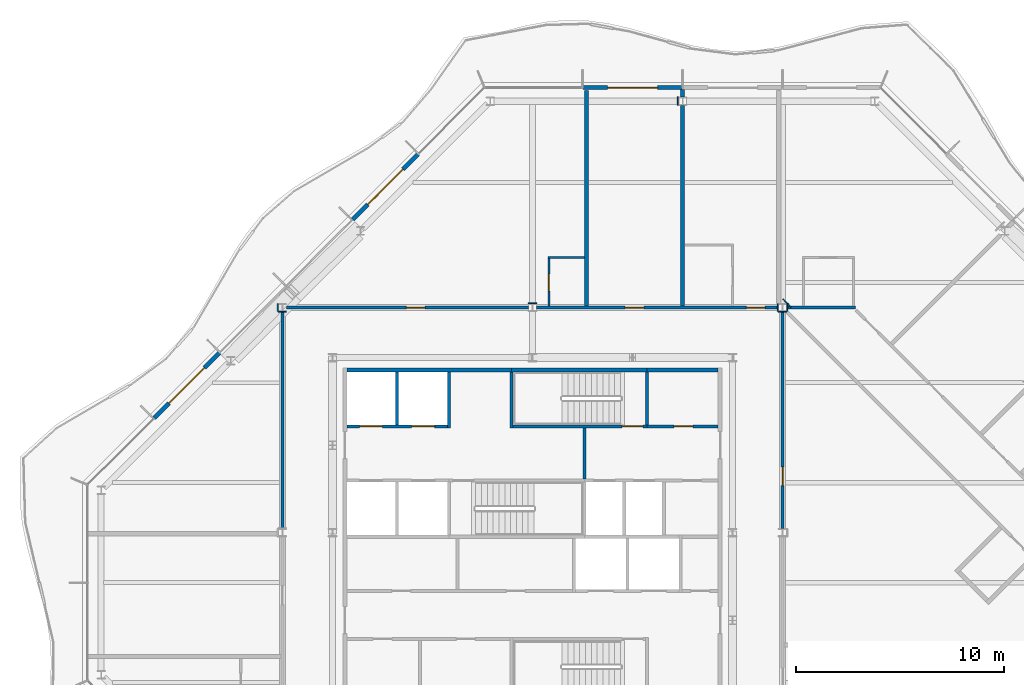
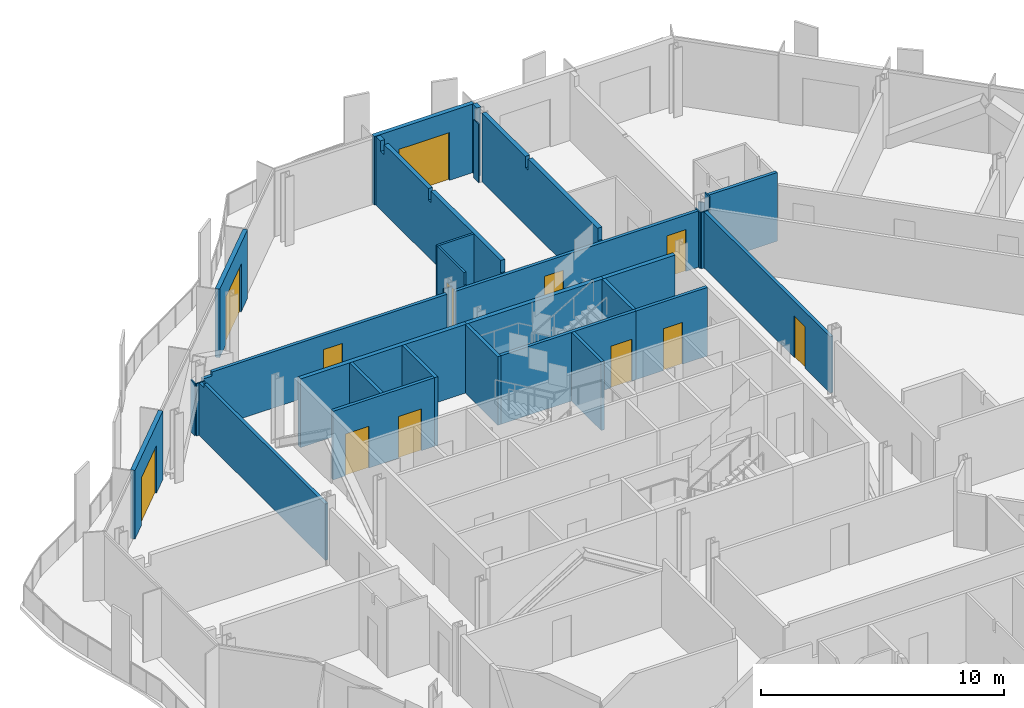
# One storey, part 11 of 17: 32 walls, 12 doors, 12 openings.
"""IFC4 building model written with IfcOpenShell, lengths in metres."""

from ifc_helpers import new_model, si_unit, direction, frame, frame_2d, origin, place, context, subcontext, project, spatial, polyline, rectangle, outline, extrude, material, layer, layer_set, type_object, element, fill, save


model = new_model("IFC4")

# Units and contexts
model_context = context("Model", 3, precision=1e-05, world=origin(), true_north=direction((0.0, 1.0)))
body_context = subcontext(model_context, "Body", "Model", "MODEL_VIEW")
ifc_project = project(units=[si_unit("LENGTHUNIT", "METRE"), si_unit("AREAUNIT", "SQUARE_METRE"), si_unit("VOLUMEUNIT", "CUBIC_METRE"), si_unit("PLANEANGLEUNIT", "RADIAN"), si_unit("MASSUNIT", "GRAM", prefix="KILO")], contexts=[model_context])

# Site, building, storey
site_placement = place(None, origin())
site = spatial("IfcSite", under=ifc_project, at=site_placement, CompositionType="ELEMENT")
building_placement = place(site_placement, origin())
building = spatial("IfcBuilding", under=site, at=building_placement, Name="Cairn Pilgrim Tower", CompositionType="ELEMENT")
storey_placement = place(building_placement, frame((0.0, 0.0, 253.800048828125)))
storey = spatial("IfcBuildingStorey", under=building, at=storey_placement, Name="L65", CompositionType="ELEMENT", Elevation=253.800048828125)

# Wall, opening, door
ifc_material_1 = material(Name="Bronze anodised aluminium insulated sandwich panel with mineral wool fill", Category="aluminium")
ifc_layer_1 = layer(ifc_material_1, 0.199951171875)
ifc_layer_set_1 = layer_set([ifc_layer_1], Name="BRONZE INFILL FRAME WALL 200")
wall_type_1 = type_object("IfcWallType", Name="BRONZE INFILL FRAME WALL 200", PredefinedType="NOTDEFINED", material=ifc_layer_set_1)
wall_1_placement = place(storey_placement, frame((14.3701171875, 23.75, 0.0), z_axis=(0.0, 0.0, 1.0), x_axis=(-1.0, 0.0, 0.0)))
wall_1 = element("IfcWall", 1, at=wall_1_placement, inside=storey, type_object=wall_type_1, Name="Bronze infill frame wall IW-N3", PredefinedType="NOTDEFINED", context=body_context, shape_type="SweptSolid", body=[
    extrude(rectangle(XDim=4.740234375, YDim=0.199951171875, at=frame_2d((2.3701171875, 0.0))), origin(), (0.0, 0.0, 1.0), 3.449951171875),
])
opening_1_placement = place(wall_1_placement, frame((1.169921875, 0.0, 0.0)))
opening_1 = element("IfcOpeningElement", 2, at=opening_1_placement, cuts=wall_1, Name="Opening 6510B", PredefinedType="OPENING", context=body_context, shape_type="SweptSolid", body=[
    extrude(rectangle(XDim=2.39990234375, YDim=2.39990234375, at=frame_2d((1.199951171875, 1.199951171875))), frame((0.0, 0.10986328125, 0.0), z_axis=(0.0, -1.0, 0.0), x_axis=(1.0, 0.0, 0.0)), (0.0, 0.0, 1.0), 0.219970703125),
])
ifc_material_2 = material(Name="Bronze anodised aluminium frame with tinted low-E glass", Category="aluminium")
door_type_1 = type_object("IfcDoorType", Name="BALCONY SLIDING DOOR 2400x2400", OperationType="DOUBLE_DOOR_SLIDING", PredefinedType="DOOR", material=ifc_material_2)
door_1_placement = place(opening_1_placement, origin())
door_1 = element("IfcDoor", 3, at=door_1_placement, inside=storey, type_object=door_type_1, Name="Balcony sliding door 6510B", OperationType="SINGLE_SWING_LEFT", OverallHeight=2.39990234375, OverallWidth=2.39990234375, PredefinedType="DOOR", context=body_context, shape_type="SweptSolid", body=[
    extrude(rectangle(XDim=2.39990234375, YDim=2.39990234375, at=frame_2d((1.199951171875, 1.199951171875))), frame((0.0, 0.02490234375, 0.0), z_axis=(0.0, -1.0, 0.0), x_axis=(1.0, 0.0, 0.0)), (0.0, 0.0, 1.0), 0.050048828125),
])
fill(opening_1, door_1)

wall_2_placement = place(storey_placement, frame((1.706787109375, 20.55322265625, 0.0), z_axis=(0.0, 0.0, 1.0), x_axis=(-0.707106781187, -0.707106781187, 0.0)))
wall_2 = element("IfcWall", 4, at=wall_2_placement, inside=storey, type_object=wall_type_1, Name="Bronze infill frame wall IW-NW2", PredefinedType="NOTDEFINED", context=body_context, shape_type="SweptSolid", body=[
    extrude(rectangle(XDim=4.43115234375, YDim=0.199951171875, at=frame_2d((2.215576171875, 0.0))), origin(), (0.0, 0.0, 1.0), 3.449951171875),
])
opening_2_placement = place(wall_2_placement, frame((1.015380859375, 0.0, 0.0)))
opening_2 = element("IfcOpeningElement", 5, at=opening_2_placement, cuts=wall_2, Name="Opening 6511B", PredefinedType="OPENING", context=body_context, shape_type="SweptSolid", body=[
    extrude(rectangle(XDim=2.39990234375, YDim=2.39990234375, at=frame_2d((1.199951171875, 1.199951171875))), frame((0.0, 0.10986328125, 0.0), z_axis=(0.0, -1.0, 0.0), x_axis=(1.0, 0.0, 0.0)), (0.0, 0.0, 1.0), 0.219970703125),
])
door_2_placement = place(opening_2_placement, origin())
door_2 = element("IfcDoor", 6, at=door_2_placement, inside=storey, type_object=door_type_1, Name="Balcony sliding door 6511B", OperationType="SINGLE_SWING_LEFT", OverallHeight=2.39990234375, OverallWidth=2.39990234375, PredefinedType="DOOR", context=body_context, shape_type="SweptSolid", body=[
    extrude(rectangle(XDim=2.39990234375, YDim=2.39990234375, at=frame_2d((1.199951171875, 1.199951171875))), frame((0.0, 0.02490234375, 0.0), z_axis=(0.0, -1.0, 0.0), x_axis=(1.0, 0.0, 0.0)), (0.0, 0.0, 1.0), 0.050048828125),
])
fill(opening_2, door_2)

wall_3_placement = place(storey_placement, frame((-7.820068359375, 11.0263671875, 0.0), z_axis=(0.0, 0.0, 1.0), x_axis=(-0.707106781187, -0.707106781187, 0.0)))
wall_3 = element("IfcWall", 7, at=wall_3_placement, inside=storey, type_object=wall_type_1, Name="Bronze infill frame wall IW-NW5", PredefinedType="NOTDEFINED", context=body_context, shape_type="SweptSolid", body=[
    extrude(rectangle(XDim=4.430908203125, YDim=0.199951171875, at=frame_2d((2.21533203125, 0.0))), origin(), (0.0, 0.0, 1.0), 3.449951171875),
])
opening_3_placement = place(wall_3_placement, frame((1.015625, 0.0, 0.0)))
opening_3 = element("IfcOpeningElement", 8, at=opening_3_placement, cuts=wall_3, Name="Opening 6511B2", PredefinedType="OPENING", context=body_context, shape_type="SweptSolid", body=[
    extrude(rectangle(XDim=2.39990234375, YDim=2.39990234375, at=frame_2d((1.199951171875, 1.199951171875))), frame((0.0, 0.10986328125, 0.0), z_axis=(0.0, -1.0, 0.0), x_axis=(1.0, 0.0, 0.0)), (0.0, 0.0, 1.0), 0.219970703125),
])
door_3_placement = place(opening_3_placement, origin())
door_3 = element("IfcDoor", 9, at=door_3_placement, inside=storey, type_object=door_type_1, Name="Balcony sliding door 6511B2", OperationType="SINGLE_SWING_LEFT", OverallHeight=2.39990234375, OverallWidth=2.39990234375, PredefinedType="DOOR", context=body_context, shape_type="SweptSolid", body=[
    extrude(rectangle(XDim=2.39990234375, YDim=2.39990234375, at=frame_2d((1.199951171875, 1.199951171875))), frame((0.0, 0.02490234375, 0.0), z_axis=(0.0, -1.0, 0.0), x_axis=(1.0, 0.0, 0.0)), (0.0, 0.0, 1.0), 0.050048828125),
])
fill(opening_3, door_3)

# Walls
ifc_material_3 = material(Name="Concrete C32/40", Category="concrete")
ifc_layer_2 = layer(ifc_material_3, 0.199951171875)
ifc_layer_set_2 = layer_set([ifc_layer_2], Name="CORE OUTER WALL 200 EI 120")
wall_type_2 = type_object("IfcWallType", Name="CORE OUTER WALL 200 EI 120", PredefinedType="SOLIDWALL", material=ifc_layer_set_2)
wall_4_placement = place(storey_placement, frame((-1.699951171875, 10.199951171875, 0.0), z_axis=(0.0, 0.0, 1.0), x_axis=(1.0, 0.0, 0.0)))
element("IfcWall", 10, at=wall_4_placement, inside=storey, type_object=wall_type_2, Name="CW:L65:H12-1", PredefinedType="SOLIDWALL", context=body_context, shape_type="SweptSolid", body=[
    extrude(rectangle(XDim=7.89990234375, YDim=0.199951171875, at=frame_2d((3.949951171875, 0.0))), origin(), (0.0, 0.0, 1.0), 3.449951171875),
])
wall_5_placement = place(storey_placement, frame((12.699951171875, 10.199951171875, 0.0), z_axis=(0.0, 0.0, 1.0), x_axis=(1.0, 0.0, 0.0)))
element("IfcWall", 11, at=wall_5_placement, inside=storey, type_object=wall_type_2, Name="CW:L65:H12-3", PredefinedType="SOLIDWALL", context=body_context, shape_type="SweptSolid", body=[
    extrude(rectangle(XDim=3.400146484375, YDim=0.199951171875, at=frame_2d((1.7001953125, 0.0))), origin(), (0.0, 0.0, 1.0), 3.449951171875),
])

# Wall, openings, doors
ifc_layer_3 = layer(ifc_material_3, 0.14990234375)
ifc_layer_set_3 = layer_set([ifc_layer_3], Name="CORE SHAFT WALL 150 EI 120")
wall_type_3 = type_object("IfcWallType", Name="CORE SHAFT WALL 150 EI 120", PredefinedType="SOLIDWALL", material=ifc_layer_set_3)
wall_6_placement = place(storey_placement, frame((-1.699951171875, 7.5, 0.0), z_axis=(0.0, 0.0, 1.0), x_axis=(1.0, 0.0, 0.0)))
wall_6 = element("IfcWall", 12, at=wall_6_placement, inside=storey, type_object=wall_type_3, Name="CW:L65:H10", PredefinedType="SOLIDWALL", context=body_context, shape_type="SweptSolid", body=[
    extrude(rectangle(XDim=4.824951171875, YDim=0.14990234375, at=frame_2d((2.41259765625, 0.0))), origin(), (0.0, 0.0, 1.0), 3.449951171875),
])
opening_4_placement = place(wall_6_placement, frame((0.60009765625, 0.0, 0.0)))
opening_4 = element("IfcOpeningElement", 13, at=opening_4_placement, cuts=wall_6, Name="Opening LD-HR3", PredefinedType="OPENING", context=body_context, shape_type="SweptSolid", body=[
    extrude(rectangle(XDim=1.10009765625, YDim=2.10009765625, at=frame_2d((0.550048828125, 1.050048828125))), frame((0.0, 0.0849609375, 0.0), z_axis=(0.0, -1.0, 0.0), x_axis=(1.0, 0.0, 0.0)), (0.0, 0.0, 1.0), 0.169921875),
])
opening_5_placement = place(wall_6_placement, frame((3.10009765625, 0.0, 0.0)))
opening_5 = element("IfcOpeningElement", 14, at=opening_5_placement, cuts=wall_6, Name="Opening LD-HR4", PredefinedType="OPENING", context=body_context, shape_type="SweptSolid", body=[
    extrude(rectangle(XDim=1.10009765625, YDim=2.10009765625, at=frame_2d((0.550048828125, 1.050048828125))), frame((0.0, 0.0849609375, 0.0), z_axis=(0.0, -1.0, 0.0), x_axis=(1.0, 0.0, 0.0)), (0.0, 0.0, 1.0), 0.169921875),
])
ifc_material_4 = material(Name="Stainless steel", Category="steel")
door_type_2 = type_object("IfcDoorType", Name="LIFT LANDING DOOR 1100x2100", OperationType="DOUBLE_DOOR_SLIDING", PredefinedType="DOOR", material=ifc_material_4)
door_4_placement = place(opening_4_placement, origin())
door_4 = element("IfcDoor", 15, at=door_4_placement, inside=storey, type_object=door_type_2, Name="LANDING DOOR HR3", OperationType="DOUBLE_DOOR_SLIDING", OverallHeight=2.10009765625, OverallWidth=1.10009765625, PredefinedType="DOOR", context=body_context, shape_type="SweptSolid", body=[
    extrude(rectangle(XDim=1.10009765625, YDim=2.10009765625, at=frame_2d((0.550048828125, 1.050048828125))), frame((0.0, 0.02490234375, 0.0), z_axis=(0.0, -1.0, 0.0), x_axis=(1.0, 0.0, 0.0)), (0.0, 0.0, 1.0), 0.050048828125),
])
fill(opening_4, door_4)
door_5_placement = place(opening_5_placement, origin())
door_5 = element("IfcDoor", 16, at=door_5_placement, inside=storey, type_object=door_type_2, Name="LANDING DOOR HR4", OperationType="DOUBLE_DOOR_SLIDING", OverallHeight=2.10009765625, OverallWidth=1.10009765625, PredefinedType="DOOR", context=body_context, shape_type="SweptSolid", body=[
    extrude(rectangle(XDim=1.10009765625, YDim=2.10009765625, at=frame_2d((0.550048828125, 1.050048828125))), frame((0.0, 0.02490234375, 0.0), z_axis=(0.0, -1.0, 0.0), x_axis=(1.0, 0.0, 0.0)), (0.0, 0.0, 1.0), 0.050048828125),
])
fill(opening_5, door_5)

# Wall, opening, door
wall_7_placement = place(storey_placement, frame((12.699951171875, 7.5, 0.0), z_axis=(0.0, 0.0, 1.0), x_axis=(1.0, 0.0, 0.0)))
wall_7 = element("IfcWall", 17, at=wall_7_placement, inside=storey, type_object=wall_type_3, Name="CW:L65:H11-2", PredefinedType="SOLIDWALL", context=body_context, shape_type="SweptSolid", body=[
    extrude(rectangle(XDim=3.400146484375, YDim=0.14990234375, at=frame_2d((1.7001953125, 0.0))), origin(), (0.0, 0.0, 1.0), 3.449951171875),
])
opening_6_placement = place(wall_7_placement, frame((1.300048828125, 0.0, 0.0)))
opening_6 = element("IfcOpeningElement", 18, at=opening_6_placement, cuts=wall_7, Name="Opening RD-R4E", PredefinedType="OPENING", context=body_context, shape_type="SweptSolid", body=[
    extrude(rectangle(XDim=0.89990234375, YDim=2.10009765625, at=frame_2d((0.449951171875, 1.050048828125))), frame((0.0, 0.0849609375, 0.0), z_axis=(0.0, -1.0, 0.0), x_axis=(1.0, 0.0, 0.0)), (0.0, 0.0, 1.0), 0.169921875),
])
ifc_material_5 = material(Name="Painted steel", Category="steel")
door_type_3 = type_object("IfcDoorType", Name="SERVICE ROOM DOOR 900x2100", OperationType="SINGLE_SWING_LEFT", PredefinedType="DOOR", material=ifc_material_5)
door_6_placement = place(opening_6_placement, origin())
door_6 = element("IfcDoor", 19, at=door_6_placement, inside=storey, type_object=door_type_3, Name="RD-R4E", OperationType="SINGLE_SWING_RIGHT", OverallHeight=2.10009765625, OverallWidth=0.89990234375, PredefinedType="DOOR", context=body_context, shape_type="SweptSolid", body=[
    extrude(rectangle(XDim=0.89990234375, YDim=2.10009765625, at=frame_2d((0.449951171875, 1.050048828125))), frame((0.0, 0.02490234375, 0.0), z_axis=(0.0, -1.0, 0.0), x_axis=(1.0, 0.0, 0.0)), (0.0, 0.0, 1.0), 0.050048828125),
])
fill(opening_6, door_6)

# Walls
wall_8_placement = place(storey_placement, frame((0.699951171875, 7.574951171875, 0.0), z_axis=(0.0, 0.0, 1.0), x_axis=(0.0, 1.0, 0.0)))
element("IfcWall", 20, at=wall_8_placement, inside=storey, type_object=wall_type_3, Name="CW:L65:V15", PredefinedType="SOLIDWALL", context=body_context, shape_type="SweptSolid", body=[
    extrude(rectangle(XDim=2.525146484375, YDim=0.14990234375, at=frame_2d((1.2626953125, 0.0))), origin(), (0.0, 0.0, 1.0), 3.449951171875),
])
wall_9_placement = place(storey_placement, frame((3.199951171875, 7.425048828125, 0.0), z_axis=(0.0, 0.0, 1.0), x_axis=(0.0, 1.0, 0.0)))
element("IfcWall", 21, at=wall_9_placement, inside=storey, type_object=wall_type_3, Name="CW:L65:V18", PredefinedType="SOLIDWALL", context=body_context, shape_type="SweptSolid", body=[
    extrude(rectangle(XDim=2.675048828125, YDim=0.14990234375, at=frame_2d((1.33740234375, 0.0))), origin(), (0.0, 0.0, 1.0), 3.449951171875),
])
wall_10_placement = place(storey_placement, frame((9.699951171875, 4.97509765625, 0.0), z_axis=(0.0, 0.0, 1.0), x_axis=(0.0, 1.0, 0.0)))
element("IfcWall", 22, at=wall_10_placement, inside=storey, type_object=wall_type_3, Name="CW:L65:V24", PredefinedType="SOLIDWALL", context=body_context, shape_type="SweptSolid", body=[
    extrude(rectangle(XDim=2.449951171875, YDim=0.14990234375, at=frame_2d((1.22509765625, 0.0))), origin(), (0.0, 0.0, 1.0), 3.449951171875),
])

# Wall, opening, door
ifc_material_6 = material(Name="Gypsum partition")
ifc_layer_4 = layer(ifc_material_6, 0.10009765625)
ifc_layer_set_4 = layer_set([ifc_layer_4], Name="PARTITION 100 DRYWALL")
wall_type_4 = type_object("IfcWallType", Name="PARTITION 100 DRYWALL", PredefinedType="PARTITIONING", material=ifc_layer_set_4)
wall_11_placement = place(storey_placement, frame((7.986083984375, 13.27490234375, 0.0), z_axis=(0.0, 0.0, 1.0), x_axis=(0.0, 1.0, 0.0)))
wall_11 = element("IfcWall", 23, at=wall_11_placement, inside=storey, type_object=wall_type_4, Name="PARTITION W068", PredefinedType="PARTITIONING", context=body_context, shape_type="SweptSolid", body=[
    extrude(outline(polyline([(0.0, 0.0), (2.275146484375, 0.0), (2.27490234375, 3.449951171875), (0.074951171875, 3.449951171875), (0.072998046875, 2.829833984375), (0.0, 2.829833984375), (0.0, 0.0)])), frame((0.0, 0.050048828125, 0.0), z_axis=(0.0, -1.0, 0.0), x_axis=(1.0, 0.0, 0.0)), (0.0, 0.0, 1.0), 0.10009765625),
])
opening_7_placement = place(wall_11_placement, frame((0.72509765625, 0.0, 0.0)))
opening_7 = element("IfcOpeningElement", 24, at=opening_7_placement, cuts=wall_11, Name="Opening 6511A", PredefinedType="OPENING", context=body_context, shape_type="SweptSolid", body=[
    extrude(rectangle(XDim=0.800048828125, YDim=2.10009765625, at=frame_2d((0.39990234375, 1.050048828125))), frame((0.0, 0.06005859375, 0.0), z_axis=(0.0, -1.0, 0.0), x_axis=(1.0, 0.0, 0.0)), (0.0, 0.0, 1.0), 0.1201171875),
])
ifc_material_7 = material(Name="Timber door leaf", Category="wood")
door_type_4 = type_object("IfcDoorType", Name="WC DOOR 800x2100", OperationType="NOTDEFINED", PredefinedType="DOOR", material=ifc_material_7)
door_7_placement = place(opening_7_placement, origin())
door_7 = element("IfcDoor", 25, at=door_7_placement, inside=storey, type_object=door_type_4, Name="DOOR 6511A", OperationType="SINGLE_SWING_LEFT", OverallHeight=2.10009765625, OverallWidth=0.800048828125, PredefinedType="DOOR", context=body_context, shape_type="SweptSolid", body=[
    extrude(rectangle(XDim=0.800048828125, YDim=2.10009765625, at=frame_2d((0.39990234375, 1.050048828125))), frame((0.0, 0.02490234375, 0.0), z_axis=(0.0, -1.0, 0.0), x_axis=(1.0, 0.0, 0.0)), (0.0, 0.0, 1.0), 0.050048828125),
])
fill(opening_7, door_7)

# Walls
wall_12_placement = place(storey_placement, frame((7.93603515625, 15.60009765625, 0.0), z_axis=(0.0, 0.0, 1.0), x_axis=(1.0, 0.0, 0.0)))
element("IfcWall", 26, at=wall_12_placement, inside=storey, type_object=wall_type_4, Name="PARTITION W075", PredefinedType="PARTITIONING", context=body_context, shape_type="SweptSolid", body=[
    extrude(rectangle(XDim=1.75, YDim=0.10009765625, at=frame_2d((0.875, 0.0))), origin(), (0.0, 0.0, 1.0), 3.449951171875),
])
ifc_layer_5 = layer(ifc_material_6, 0.14990234375)
ifc_layer_set_5 = layer_set([ifc_layer_5], Name="PARTITION 150 DRYWALL EI 60")
wall_type_5 = type_object("IfcWallType", Name="PARTITION 150 DRYWALL EI 60", PredefinedType="PARTITIONING", material=ifc_layer_set_5)
wall_13_placement = place(storey_placement, frame((-4.800048828125, 2.58740234375, 0.0), z_axis=(0.0, 0.0, 1.0), x_axis=(0.0, 1.0, 0.0)))
element("IfcWall", 27, at=wall_13_placement, inside=storey, type_object=wall_type_5, Name="PARTITION W056", PredefinedType="PARTITIONING", context=body_context, shape_type="SweptSolid", body=[
    extrude(outline(polyline([(0.0, 0.0), (10.425048828125, 0.0), (10.425048828125, 2.6298828125), (9.9697265625, 2.6298828125), (9.9677734375, 2.829833984375), (0.0, 2.829833984375), (0.0, 0.0)])), frame((0.0, 0.074951171875, 0.0), z_axis=(0.0, -1.0, 0.0), x_axis=(1.0, 0.0, 0.0)), (0.0, 0.0, 1.0), 0.14990234375),
])

# Wall, opening, door
wall_14_placement = place(storey_placement, frame((19.199951171875, 2.58740234375, 0.0), z_axis=(0.0, 0.0, 1.0), x_axis=(0.0, 1.0, 0.0)))
wall_14 = element("IfcWall", 28, at=wall_14_placement, inside=storey, type_object=wall_type_5, Name="PARTITION W057", PredefinedType="PARTITIONING", context=body_context, shape_type="SweptSolid", body=[
    extrude(rectangle(XDim=10.425048828125, YDim=0.14990234375, at=frame_2d((5.21240234375, 0.0))), origin(), (0.0, 0.0, 1.0), 2.829833984375),
])
opening_8_placement = place(wall_14_placement, frame((2.0625, 0.0, 0.0)))
opening_8 = element("IfcOpeningElement", 29, at=opening_8_placement, cuts=wall_14, Name="Opening 6519", PredefinedType="OPENING", context=body_context, shape_type="SweptSolid", body=[
    extrude(rectangle(XDim=0.89990234375, YDim=2.10009765625, at=frame_2d((0.449951171875, 1.050048828125))), frame((0.0, 0.0849609375, 0.0), z_axis=(0.0, -1.0, 0.0), x_axis=(1.0, 0.0, 0.0)), (0.0, 0.0, 1.0), 0.169921875),
])
door_type_5 = type_object("IfcDoorType", Name="SERVICE DOOR 900x2100 FD30S", OperationType="NOTDEFINED", PredefinedType="DOOR", material=ifc_material_7)
door_8_placement = place(opening_8_placement, frame((0.89990234375, 0.0, 0.0), z_axis=(0.0, 0.0, 1.0), x_axis=(-1.0, 0.0, 0.0)))
door_8 = element("IfcDoor", 30, at=door_8_placement, inside=storey, type_object=door_type_5, Name="DOOR 6519", OperationType="SINGLE_SWING_LEFT", OverallHeight=2.10009765625, OverallWidth=0.89990234375, PredefinedType="DOOR", context=body_context, shape_type="SweptSolid", body=[
    extrude(rectangle(XDim=0.89990234375, YDim=2.10009765625, at=frame_2d((0.449951171875, 1.050048828125))), frame((0.0, 0.02490234375, 0.0), z_axis=(0.0, -1.0, 0.0), x_axis=(1.0, 0.0, 0.0)), (0.0, 0.0, 1.0), 0.050048828125),
])
fill(opening_8, door_8)

wall_15_placement = place(storey_placement, frame((-4.60302734375, 13.199951171875, 0.0), z_axis=(0.0, 0.0, 1.0), x_axis=(1.0, 0.0, 0.0)))
wall_15 = element("IfcWall", 31, at=wall_15_placement, inside=storey, type_object=wall_type_5, Name="PARTITION W065", PredefinedType="PARTITIONING", context=body_context, shape_type="SweptSolid", body=[
    extrude(outline(polyline([(0.0, 0.0), (11.60595703125, 0.0), (11.60595703125, 2.829833984375), (0.44580078125, 2.829833984375), (0.44384765625, 2.6298828125), (0.0, 2.6298828125), (0.0, 0.0)])), frame((0.0, 0.074951171875, 0.0), z_axis=(0.0, -1.0, 0.0), x_axis=(1.0, 0.0, 0.0)), (0.0, 0.0, 1.0), 0.14990234375),
])
opening_9_placement = place(wall_15_placement, frame((5.74609375, 0.0, 0.0)))
opening_9 = element("IfcOpeningElement", 32, at=opening_9_placement, cuts=wall_15, Name="Opening 6511", PredefinedType="OPENING", context=body_context, shape_type="SweptSolid", body=[
    extrude(rectangle(XDim=0.89990234375, YDim=2.10009765625, at=frame_2d((0.449951171875, 1.050048828125))), frame((0.0, 0.0849609375, 0.0), z_axis=(0.0, -1.0, 0.0), x_axis=(1.0, 0.0, 0.0)), (0.0, 0.0, 1.0), 0.169921875),
])
door_type_6 = type_object("IfcDoorType", Name="ROOM DOOR 900x2100 FD30S", OperationType="NOTDEFINED", PredefinedType="DOOR", material=ifc_material_7)
door_9_placement = place(opening_9_placement, origin())
door_9 = element("IfcDoor", 33, at=door_9_placement, inside=storey, type_object=door_type_6, Name="DOOR 6511", OperationType="SINGLE_SWING_LEFT", OverallHeight=2.10009765625, OverallWidth=0.89990234375, PredefinedType="DOOR", context=body_context, shape_type="SweptSolid", body=[
    extrude(rectangle(XDim=0.89990234375, YDim=2.10009765625, at=frame_2d((0.449951171875, 1.050048828125))), frame((0.0, 0.02490234375, 0.0), z_axis=(0.0, -1.0, 0.0), x_axis=(1.0, 0.0, 0.0)), (0.0, 0.0, 1.0), 0.050048828125),
])
fill(opening_9, door_9)

# Wall, openings, doors
wall_16_placement = place(storey_placement, frame((7.39697265625, 13.199951171875, 0.0), z_axis=(0.0, 0.0, 1.0), x_axis=(1.0, 0.0, 0.0)))
wall_16 = element("IfcWall", 34, at=wall_16_placement, inside=storey, type_object=wall_type_5, Name="PARTITION W066", PredefinedType="PARTITIONING", context=body_context, shape_type="SweptSolid", body=[
    extrude(rectangle(XDim=11.60595703125, YDim=0.14990234375, at=frame_2d((5.802978515625, 0.0))), origin(), (0.0, 0.0, 1.0), 2.829833984375),
])
opening_10_placement = place(wall_16_placement, frame((10.06005859375, 0.0, 0.0)))
opening_10 = element("IfcOpeningElement", 35, at=opening_10_placement, cuts=wall_16, Name="Opening 6509", PredefinedType="OPENING", context=body_context, shape_type="SweptSolid", body=[
    extrude(rectangle(XDim=0.89990234375, YDim=2.10009765625, at=frame_2d((0.449951171875, 1.050048828125))), frame((0.0, 0.0849609375, 0.0), z_axis=(0.0, -1.0, 0.0), x_axis=(1.0, 0.0, 0.0)), (0.0, 0.0, 1.0), 0.169921875),
])
opening_11_placement = place(wall_16_placement, frame((4.24609375, 0.0, 0.0)))
opening_11 = element("IfcOpeningElement", 36, at=opening_11_placement, cuts=wall_16, Name="Opening 6510", PredefinedType="OPENING", context=body_context, shape_type="SweptSolid", body=[
    extrude(rectangle(XDim=0.89990234375, YDim=2.10009765625, at=frame_2d((0.449951171875, 1.050048828125))), frame((0.0, 0.0849609375, 0.0), z_axis=(0.0, -1.0, 0.0), x_axis=(1.0, 0.0, 0.0)), (0.0, 0.0, 1.0), 0.169921875),
])
door_10_placement = place(opening_10_placement, origin())
door_10 = element("IfcDoor", 37, at=door_10_placement, inside=storey, type_object=door_type_6, Name="DOOR 6509", OperationType="SINGLE_SWING_RIGHT", OverallHeight=2.10009765625, OverallWidth=0.89990234375, PredefinedType="DOOR", context=body_context, shape_type="SweptSolid", body=[
    extrude(rectangle(XDim=0.89990234375, YDim=2.10009765625, at=frame_2d((0.449951171875, 1.050048828125))), frame((0.0, 0.02490234375, 0.0), z_axis=(0.0, -1.0, 0.0), x_axis=(1.0, 0.0, 0.0)), (0.0, 0.0, 1.0), 0.050048828125),
])
fill(opening_10, door_10)
door_11_placement = place(opening_11_placement, origin())
door_11 = element("IfcDoor", 38, at=door_11_placement, inside=storey, type_object=door_type_5, Name="DOOR 6510", OperationType="SINGLE_SWING_LEFT", OverallHeight=2.10009765625, OverallWidth=0.89990234375, PredefinedType="DOOR", context=body_context, shape_type="SweptSolid", body=[
    extrude(rectangle(XDim=0.89990234375, YDim=2.10009765625, at=frame_2d((0.449951171875, 1.050048828125))), frame((0.0, 0.02490234375, 0.0), z_axis=(0.0, -1.0, 0.0), x_axis=(1.0, 0.0, 0.0)), (0.0, 0.0, 1.0), 0.050048828125),
])
fill(opening_11, door_11)

# Walls
wall_17_placement = place(storey_placement, frame((19.39697265625, 13.199951171875, 0.0), z_axis=(0.0, 0.0, 1.0), x_axis=(1.0, 0.0, 0.0)))
element("IfcWall", 39, at=wall_17_placement, inside=storey, type_object=wall_type_5, Name="PARTITION W067", PredefinedType="PARTITIONING", context=body_context, shape_type="SweptSolid", body=[
    extrude(rectangle(XDim=3.30322265625, YDim=0.14990234375, at=frame_2d((1.651611328125, 0.0))), origin(), (0.0, 0.0, 1.0), 3.449951171875),
])
ifc_layer_6 = layer(ifc_material_6, 0.050048828125)
ifc_layer_set_6 = layer_set([ifc_layer_6], Name="PARTITION 50 DRYWALL EI 60")
wall_type_6 = type_object("IfcWallType", Name="PARTITION 50 DRYWALL EI 60", PredefinedType="PARTITIONING", material=ifc_layer_set_6)
wall_18_placement = place(storey_placement, frame((-5.02197265625, 13.012451171875, 0.0), z_axis=(0.0, 0.0, 1.0), x_axis=(0.0, 1.0, 0.0)))
element("IfcWall", 40, at=wall_18_placement, inside=storey, type_object=wall_type_6, Name="COLUMN CASING WC10", PredefinedType="PARTITIONING", context=body_context, shape_type="SweptSolid", body=[
    extrude(rectangle(XDim=0.375, YDim=0.050048828125, at=frame_2d((0.1875, 0.0))), origin(), (0.0, 0.0, 1.0), 2.6298828125),
])
wall_19_placement = place(storey_placement, frame((18.97802734375, 13.012451171875, 0.0), z_axis=(0.0, 0.0, 1.0), x_axis=(0.0, 1.0, 0.0)))
element("IfcWall", 41, at=wall_19_placement, inside=storey, type_object=wall_type_6, Name="COLUMN CASING WC15", PredefinedType="PARTITIONING", context=body_context, shape_type="SweptSolid", body=[
    extrude(rectangle(XDim=0.375, YDim=0.050048828125, at=frame_2d((0.1875, 0.0))), origin(), (0.0, 0.0, 1.0), 2.829833984375),
])
wall_20_placement = place(storey_placement, frame((19.602294921875, 13.2177734375, 0.0), z_axis=(0.0, 0.0, 1.0), x_axis=(-0.707106781187, 0.707106781187, 0.0)))
element("IfcWall", 42, at=wall_20_placement, inside=storey, type_object=wall_type_6, Name="COLUMN CASING WC17", PredefinedType="PARTITIONING", context=body_context, shape_type="SweptSolid", body=[
    extrude(rectangle(XDim=0.543701171875, YDim=0.050048828125, at=frame_2d((0.27197265625, 0.0))), origin(), (0.0, 0.0, 1.0), 2.929931640625),
])
wall_21_placement = place(storey_placement, frame((-4.9970703125, 12.987548828125, 0.0), z_axis=(0.0, 0.0, 1.0), x_axis=(1.0, 0.0, 0.0)))
element("IfcWall", 43, at=wall_21_placement, inside=storey, type_object=wall_type_6, Name="COLUMN CASING WC22", PredefinedType="PARTITIONING", context=body_context, shape_type="SweptSolid", body=[
    extrude(rectangle(XDim=0.39404296875, YDim=0.050048828125, at=frame_2d((0.197021484375, 0.0))), origin(), (0.0, 0.0, 1.0), 2.6298828125),
])
wall_22_placement = place(storey_placement, frame((7.0029296875, 13.41259765625, 0.0), z_axis=(0.0, 0.0, 1.0), x_axis=(1.0, 0.0, 0.0)))
element("IfcWall", 44, at=wall_22_placement, inside=storey, type_object=wall_type_6, Name="COLUMN CASING WC23", PredefinedType="PARTITIONING", context=body_context, shape_type="SweptSolid", body=[
    extrude(rectangle(XDim=0.39404296875, YDim=0.050048828125, at=frame_2d((0.197021484375, 0.0))), origin(), (0.0, 0.0, 1.0), 2.929931640625),
])
wall_23_placement = place(storey_placement, frame((19.0029296875, 12.987548828125, 0.0), z_axis=(0.0, 0.0, 1.0), x_axis=(1.0, 0.0, 0.0)))
element("IfcWall", 45, at=wall_23_placement, inside=storey, type_object=wall_type_6, Name="COLUMN CASING WC24", PredefinedType="PARTITIONING", context=body_context, shape_type="SweptSolid", body=[
    extrude(rectangle(XDim=0.39404296875, YDim=0.050048828125, at=frame_2d((0.197021484375, 0.0))), origin(), (0.0, 0.0, 1.0), 2.829833984375),
])
wall_24_placement = place(storey_placement, frame((14.173095703125, 22.896484375, 0.0), z_axis=(0.0, 0.0, 1.0), x_axis=(0.0, 1.0, 0.0)))
element("IfcWall", 46, at=wall_24_placement, inside=storey, type_object=wall_type_6, Name="COLUMN CASING WC25", PredefinedType="PARTITIONING", context=body_context, shape_type="SweptSolid", body=[
    extrude(rectangle(XDim=0.406982421875, YDim=0.050048828125, at=frame_2d((0.20361328125, 0.0))), origin(), (0.0, 0.0, 1.0), 2.929931640625),
])
wall_25_placement = place(storey_placement, frame((19.422119140625, 13.012451171875, 0.0), z_axis=(0.0, 0.0, 1.0), x_axis=(0.0, 1.0, 0.0)))
element("IfcWall", 47, at=wall_25_placement, inside=storey, type_object=wall_type_6, Name="COLUMN CASING WC26", PredefinedType="PARTITIONING", context=body_context, shape_type="SweptSolid", body=[
    extrude(rectangle(XDim=0.375, YDim=0.050048828125, at=frame_2d((0.1875, 0.0))), origin(), (0.0, 0.0, 1.0), 3.449951171875),
])
ifc_layer_7 = layer(ifc_material_6, 0.199951171875)
ifc_layer_set_7 = layer_set([ifc_layer_7], Name="SHAFT WALL 200 GYPSUM EI 60")
wall_type_7 = type_object("IfcWallType", Name="SHAFT WALL 200 GYPSUM EI 60", PredefinedType="PARTITIONING", material=ifc_layer_set_7)
wall_26_placement = place(storey_placement, frame((9.785888671875, 13.27490234375, 0.0), z_axis=(0.0, 0.0, 1.0), x_axis=(0.0, 1.0, 0.0)))
element("IfcWall", 48, at=wall_26_placement, inside=storey, type_object=wall_type_7, Name="PARTITION W069", PredefinedType="PARTITIONING", context=body_context, shape_type="SweptSolid", body=[
    extrude(outline(polyline([(0.0, 0.0), (10.34521484375, 0.0), (10.344970703125, 3.449951171875), (9.97509765625, 3.449951171875), (9.972900390625, 2.929931640625), (9.675048828125, 2.929931640625), (9.673095703125, 3.449951171875), (6.030029296875, 3.449951171875), (6.028076171875, 2.8798828125), (5.820068359375, 2.8798828125), (5.818115234375, 3.449951171875), (0.074951171875, 3.449951171875), (0.072998046875, 2.829833984375), (0.0, 2.829833984375), (0.0, 0.0)])), frame((0.0, 0.10009765625, 0.0), z_axis=(0.0, -1.0, 0.0), x_axis=(1.0, 0.0, 0.0)), (0.0, 0.0, 1.0), 0.199951171875),
])
wall_27_placement = place(storey_placement, frame((14.39990234375, 13.27490234375, 0.0), z_axis=(0.0, 0.0, 1.0), x_axis=(0.0, 1.0, 0.0)))
element("IfcWall", 49, at=wall_27_placement, inside=storey, type_object=wall_type_7, Name="PARTITION W070", PredefinedType="PARTITIONING", context=body_context, shape_type="SweptSolid", body=[
    extrude(outline(polyline([(0.0, 0.0), (9.62158203125, 0.0), (9.62158203125, 3.449951171875), (6.030029296875, 3.449951171875), (6.028076171875, 2.8798828125), (5.820068359375, 2.8798828125), (5.818115234375, 3.449951171875), (0.074951171875, 3.449951171875), (0.072998046875, 2.829833984375), (0.0, 2.829833984375), (0.0, 0.0)])), frame((0.0, 0.10009765625, 0.0), z_axis=(0.0, -1.0, 0.0), x_axis=(1.0, 0.0, 0.0)), (0.0, 0.0, 1.0), 0.199951171875),
])
wall_28_placement = place(storey_placement, frame((14.39990234375, 23.303466796875, 0.0), z_axis=(0.0, 0.0, 1.0), x_axis=(0.0, 1.0, 0.0)))
element("IfcWall", 50, at=wall_28_placement, inside=storey, type_object=wall_type_7, Name="PARTITION W079", PredefinedType="PARTITIONING", context=body_context, shape_type="SweptSolid", body=[
    extrude(rectangle(XDim=0.346435546875, YDim=0.199951171875, at=frame_2d((0.17333984375, 0.0))), origin(), (0.0, 0.0, 1.0), 3.449951171875),
])

# Wall, opening, door
ifc_material_8 = material(Name="Concrete C35/45", Category="concrete")
ifc_layer_8 = layer(ifc_material_8, 0.14990234375)
ifc_layer_set_8 = layer_set([ifc_layer_8], Name="STAIR SHAFT WALL 150 EI 120")
wall_type_8 = type_object("IfcWallType", Name="STAIR SHAFT WALL 150 EI 120", PredefinedType="SOLIDWALL", material=ifc_layer_set_8)
wall_29_placement = place(storey_placement, frame((6.27490234375, 7.5, 0.0), z_axis=(0.0, 0.0, 1.0), x_axis=(1.0, 0.0, 0.0)))
wall_29 = element("IfcWall", 51, at=wall_29_placement, inside=storey, type_object=wall_type_8, Name="CW:L65:H11-1", PredefinedType="SOLIDWALL", context=body_context, shape_type="SweptSolid", body=[
    extrude(rectangle(XDim=6.425048828125, YDim=0.14990234375, at=frame_2d((3.21240234375, 0.0))), origin(), (0.0, 0.0, 1.0), 3.449951171875),
])
opening_12_placement = place(wall_29_placement, frame((5.22509765625, 0.0, 0.0)))
opening_12 = element("IfcOpeningElement", 52, at=opening_12_placement, cuts=wall_29, Name="Opening SD-C", PredefinedType="OPENING", context=body_context, shape_type="SweptSolid", body=[
    extrude(rectangle(XDim=1.0, YDim=2.10009765625, at=frame_2d((0.5, 1.050048828125))), frame((0.0, 0.0849609375, 0.0), z_axis=(0.0, -1.0, 0.0), x_axis=(1.0, 0.0, 0.0)), (0.0, 0.0, 1.0), 0.169921875),
])
door_type_7 = type_object("IfcDoorType", Name="STAIR DOOR FD60S 1000x2100", OperationType="SINGLE_SWING_LEFT", PredefinedType="DOOR", material=ifc_material_5)
door_12_placement = place(opening_12_placement, origin())
door_12 = element("IfcDoor", 53, at=door_12_placement, inside=storey, type_object=door_type_7, Name="SD-C", OperationType="SINGLE_SWING_LEFT", OverallHeight=2.10009765625, OverallWidth=1.0, PredefinedType="DOOR", context=body_context, shape_type="SweptSolid", body=[
    extrude(rectangle(XDim=1.0, YDim=2.10009765625, at=frame_2d((0.5, 1.050048828125))), frame((0.0, 0.02490234375, 0.0), z_axis=(0.0, -1.0, 0.0), x_axis=(1.0, 0.0, 0.0)), (0.0, 0.0, 1.0), 0.050048828125),
])
fill(opening_12, door_12)

# Walls
wall_30_placement = place(storey_placement, frame((6.199951171875, 7.425048828125, 0.0), z_axis=(0.0, 0.0, 1.0), x_axis=(0.0, 1.0, 0.0)))
element("IfcWall", 54, at=wall_30_placement, inside=storey, type_object=wall_type_8, Name="CW:L65:V21", PredefinedType="SOLIDWALL", context=body_context, shape_type="SweptSolid", body=[
    extrude(rectangle(XDim=2.675048828125, YDim=0.14990234375, at=frame_2d((1.33740234375, 0.0))), origin(), (0.0, 0.0, 1.0), 3.449951171875),
])
wall_31_placement = place(storey_placement, frame((12.699951171875, 7.574951171875, 0.0), z_axis=(0.0, 0.0, 1.0), x_axis=(0.0, 1.0, 0.0)))
element("IfcWall", 55, at=wall_31_placement, inside=storey, type_object=wall_type_8, Name="CW:L65:V28", PredefinedType="SOLIDWALL", context=body_context, shape_type="SweptSolid", body=[
    extrude(rectangle(XDim=2.525146484375, YDim=0.14990234375, at=frame_2d((1.2626953125, 0.0))), origin(), (0.0, 0.0, 1.0), 3.449951171875),
])
ifc_layer_9 = layer(ifc_material_8, 0.199951171875)
ifc_layer_set_9 = layer_set([ifc_layer_9], Name="STAIR SHAFT WALL 200 EI 120")
wall_type_9 = type_object("IfcWallType", Name="STAIR SHAFT WALL 200 EI 120", PredefinedType="SOLIDWALL", material=ifc_layer_set_9)
wall_32_placement = place(storey_placement, frame((6.199951171875, 10.199951171875, 0.0), z_axis=(0.0, 0.0, 1.0), x_axis=(1.0, 0.0, 0.0)))
element("IfcWall", 56, at=wall_32_placement, inside=storey, type_object=wall_type_9, Name="CW:L65:H12-2", PredefinedType="SOLIDWALL", context=body_context, shape_type="SweptSolid", body=[
    extrude(rectangle(XDim=6.5, YDim=0.199951171875, at=frame_2d((3.25, 0.0))), origin(), (0.0, 0.0, 1.0), 3.449951171875),
])

save(model, "model.ifc")
